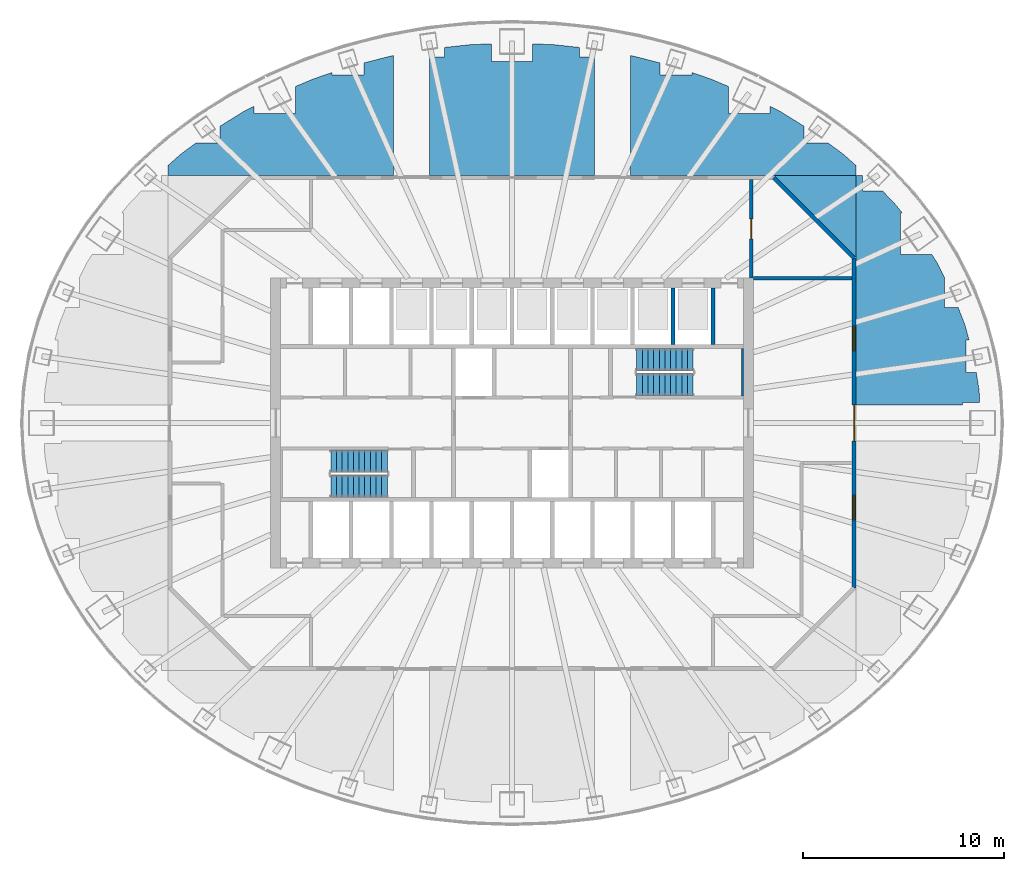
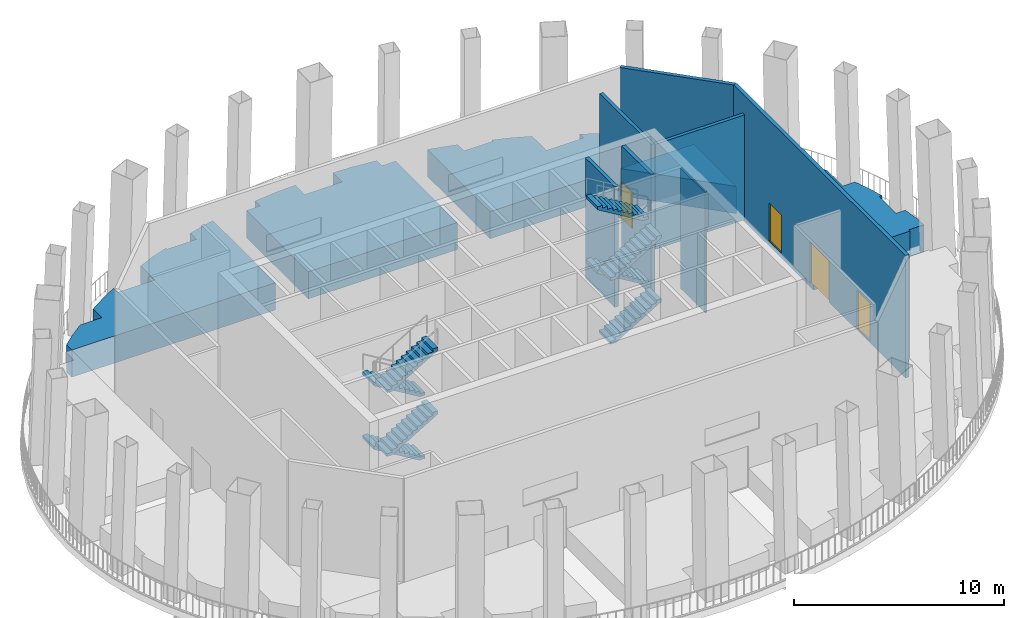
# One storey, part 7 of 15: 12 walls, 8 stair flights, 2 doors, 2 windows, 4 openings, 2 elements without a shape of their own.
"""IFC4 building model written with IfcOpenShell, lengths in metres."""

from ifc_helpers import new_model, si_unit, direction, frame, frame_2d, origin, place, context, subcontext, project, spatial, polyline, rectangle, outline, extrude, material, layer, layer_set, type_object, element, fill, aggregate, save


model = new_model("IFC4")

# Units and contexts
model_context = context("Model", 3, precision=1e-05, world=origin(), true_north=direction((0.0, 1.0)))
body_context = subcontext(model_context, "Body", "Model", "MODEL_VIEW")
ifc_project = project(units=[si_unit("LENGTHUNIT", "METRE"), si_unit("AREAUNIT", "SQUARE_METRE"), si_unit("VOLUMEUNIT", "CUBIC_METRE"), si_unit("PLANEANGLEUNIT", "RADIAN"), si_unit("MASSUNIT", "GRAM", prefix="KILO")], contexts=[model_context])

# Site, building, storey
site_placement = place(None, origin())
site = spatial("IfcSite", under=ifc_project, at=site_placement, CompositionType="ELEMENT")
building_placement = place(site_placement, origin())
building = spatial("IfcBuilding", under=site, at=building_placement, Name="Siaravel Broadcast Tower", CompositionType="ELEMENT")
storey_placement = place(building_placement, frame((0.0, 0.0, 145.199951171875)))
storey = spatial("IfcBuildingStorey", under=building, at=storey_placement, Name="L35", CompositionType="ELEMENT", Elevation=145.199951171875)

# Walls
ifc_material_1 = material(Name="Concrete C40/50", Category="concrete")
ifc_layer_1 = layer(ifc_material_1, 1.0)
ifc_layer_set_1 = layer_set([ifc_layer_1], Name="Concrete C40/50")
wall_type_1 = type_object("IfcWallType", Name="Garden planter box", PredefinedType="ELEMENTEDWALL", material=ifc_layer_set_1)
wall_1_placement = place(storey_placement, frame((0.0, 0.0, -0.39990234375)))
element("IfcWall", 1, at=wall_1_placement, inside=storey, type_object=wall_type_1, Name="L35 garden planting bed 09", PredefinedType="ELEMENTEDWALL", context=body_context, shape_type="SweptSolid", body=[
    extrude(outline(polyline([(17.422119140625, 12.300048828125), (17.10009765625, 12.300048828125), (17.10009765625, 8.241455078125), (17.10009765625, 0.89990234375), (22.391845703125, 0.89990234375), (22.391845703125, 1.02490234375), (23.24755859375, 1.02490234375), (23.214111328125, 1.6455078125), (23.072265625, 2.518798828125), (22.562255859375, 2.518798828125), (22.562255859375, 4.118896484375), (22.71875, 4.118896484375), (22.5087890625, 4.886474609375), (22.17529296875, 5.74365234375), (21.507080078125, 5.74365234375), (21.507080078125, 7.220703125), (21.119384765625, 7.97900390625), (20.8603515625, 8.38232421875), (19.30810546875, 8.38232421875), (19.30810546875, 10.432373046875), (19.400390625, 10.432373046875), (19.08837890625, 10.828857421875), (18.418701171875, 11.535888671875), (17.422119140625, 11.535888671875), (17.422119140625, 12.300048828125)])), origin(), (0.0, 0.0, 1.0), 1.579833984375),
])
wall_2_placement = place(storey_placement, frame((0.0, 0.0, -0.39990234375)))
element("IfcWall", 2, at=wall_2_placement, inside=storey, type_object=wall_type_1, Name="L35 garden planting bed 11", PredefinedType="ELEMENTEDWALL", context=body_context, shape_type="SweptSolid", body=[
    extrude(outline(polyline([(17.10009765625, 8.241455078125), (17.10009765625, 12.300048828125), (13.04150390625, 12.300048828125), (17.10009765625, 8.241455078125)])), origin(), (0.0, 0.0, 1.0), 1.579833984375),
])
wall_3_placement = place(storey_placement, frame((0.0, 0.0, -0.39990234375)))
element("IfcWall", 3, at=wall_3_placement, inside=storey, type_object=wall_type_1, Name="L35 garden planting bed 12", PredefinedType="ELEMENTEDWALL", context=body_context, shape_type="SweptSolid", body=[
    extrude(outline(polyline([(-17.10009765625, 12.799560546875), (-17.10009765625, 12.300048828125), (-13.04150390625, 12.300048828125), (-5.89990234375, 12.300048828125), (-5.89990234375, 18.260009765625), (-6.03125, 18.236328125), (-7.356689453125, 17.897705078125), (-7.356689453125, 17.30419921875), (-8.956787109375, 17.30419921875), (-8.956787109375, 17.409912109375), (-9.84814453125, 17.110595703125), (-10.76318359375, 16.724853515625), (-10.76318359375, 15.3720703125), (-12.81298828125, 15.3720703125), (-12.81298828125, 15.75048828125), (-13.365966796875, 15.46533203125), (-14.505859375, 14.756591796875), (-14.505859375, 13.92431640625), (-15.703857421875, 13.92431640625), (-16.4775390625, 13.349853515625), (-17.10009765625, 12.799560546875)])), origin(), (0.0, 0.0, 1.0), 1.579833984375),
])
wall_4_placement = place(storey_placement, frame((0.0, 0.0, -0.39990234375)))
element("IfcWall", 4, at=wall_4_placement, inside=storey, type_object=wall_type_1, Name="L35 garden planting bed 13", PredefinedType="ELEMENTEDWALL", context=body_context, shape_type="SweptSolid", body=[
    extrude(outline(polyline([(7.356689453125, 17.897705078125), (6.03125, 18.236328125), (5.89990234375, 18.260009765625), (5.89990234375, 12.300048828125), (13.04150390625, 12.300048828125), (17.10009765625, 12.300048828125), (17.10009765625, 12.799560546875), (16.4775390625, 13.349853515625), (15.703857421875, 13.92431640625), (14.505859375, 13.92431640625), (14.505859375, 14.756591796875), (13.365966796875, 15.46533203125), (12.81298828125, 15.75048828125), (12.81298828125, 15.3720703125), (10.76318359375, 15.3720703125), (10.76318359375, 16.724853515625), (9.84814453125, 17.110595703125), (8.956787109375, 17.409912109375), (8.956787109375, 17.30419921875), (7.356689453125, 17.30419921875), (7.356689453125, 17.897705078125)])), origin(), (0.0, 0.0, 1.0), 1.579833984375),
])
wall_5_placement = place(storey_placement, frame((0.0, 0.0, -0.39990234375)))
element("IfcWall", 5, at=wall_5_placement, inside=storey, type_object=wall_type_1, Name="L35 garden planting bed 14", PredefinedType="ELEMENTEDWALL", context=body_context, shape_type="SweptSolid", body=[
    extrude(outline(polyline([(-2.031005859375, 18.807861328125), (-3.343017578125, 18.66796875), (-3.343017578125, 18.18505859375), (-4.10009765625, 18.18505859375), (-4.10009765625, 12.300048828125), (4.10009765625, 12.300048828125), (4.10009765625, 18.18505859375), (3.343017578125, 18.18505859375), (3.343017578125, 18.66796875), (2.031005859375, 18.807861328125), (1.02490234375, 18.843505859375), (1.02490234375, 17.95703125), (-1.02490234375, 17.95703125), (-1.02490234375, 18.843505859375), (-2.031005859375, 18.807861328125)])), origin(), (0.0, 0.0, 1.0), 1.579833984375),
])

# Wall, opening, door
ifc_material_2 = material(Name="Concrete blockwork", Category="masonry")
ifc_layer_2 = layer(ifc_material_2, 0.179931640625)
ifc_layer_set_2 = layer_set([ifc_layer_2], Name="Concrete blockwork")
wall_type_2 = type_object("IfcWallType", Name="Service room fire partition 180", PredefinedType="PARTITIONING", material=ifc_layer_set_2)
wall_6_placement = place(storey_placement, frame((11.89990234375, 12.10009765625, 0.0), z_axis=(0.0, 0.0, 1.0), x_axis=(0.0, -1.0, 0.0)))
wall_6 = element("IfcWall", 6, at=wall_6_placement, inside=storey, type_object=wall_type_2, Name="L35 partition 4", PredefinedType="PARTITIONING", context=body_context, shape_type="SweptSolid", body=[
    extrude(rectangle(XDim=4.900146484375, YDim=0.179931640625, at=frame_2d((2.4501953125, 0.0))), origin(), (0.0, 0.0, 1.0), 6.10009765625),
])
opening_1_placement = place(wall_6_placement, frame((1.949951171875, 0.0, 0.0)))
opening_1 = element("IfcOpeningElement", 7, at=opening_1_placement, cuts=wall_6, Name="Opening L35-004", PredefinedType="OPENING", context=body_context, shape_type="SweptSolid", body=[
    extrude(rectangle(XDim=1.0, YDim=2.10009765625, at=frame_2d((0.5, 1.050048828125))), frame((0.0, 0.099853515625, 0.0), z_axis=(0.0, -1.0, 0.0), x_axis=(1.0, 0.0, 0.0)), (0.0, 0.0, 1.0), 0.199951171875),
])
ifc_material_3 = material(Name="Steel", Category="steel")
door_type_1 = type_object("IfcDoorType", Name="Service room door 1000", OperationType="SINGLE_SWING_LEFT", PredefinedType="DOOR", material=ifc_material_3)
door_1_placement = place(opening_1_placement, origin())
door_1 = element("IfcDoor", 8, at=door_1_placement, inside=storey, type_object=door_type_1, Name="L35 door to Sky pantry", OperationType="SINGLE_SWING_RIGHT", OverallHeight=2.10009765625, OverallWidth=1.0, PredefinedType="DOOR", context=body_context, shape_type="SweptSolid", body=[
    extrude(rectangle(XDim=1.0, YDim=2.10009765625, at=frame_2d((0.5, 1.050048828125))), frame((0.0, 0.02490234375, 0.0), z_axis=(0.0, -1.0, 0.0), x_axis=(1.0, 0.0, 0.0)), (0.0, 0.0, 1.0), 0.050048828125),
])
fill(opening_1, door_1)

# Walls
wall_7_placement = place(storey_placement, frame((12.0, 7.199951171875, 0.0), z_axis=(0.0, 0.0, 1.0), x_axis=(1.0, 0.0, 0.0)))
element("IfcWall", 9, at=wall_7_placement, inside=storey, type_object=wall_type_2, Name="L35 partition 5", PredefinedType="PARTITIONING", context=body_context, shape_type="SweptSolid", body=[
    extrude(rectangle(XDim=4.89990234375, YDim=0.179931640625, at=frame_2d((2.449951171875, 0.0))), origin(), (0.0, 0.0, 1.0), 6.10009765625),
])
ifc_material_4 = material(Name="Concrete C60/75", Category="concrete")
ifc_layer_3 = layer(ifc_material_4, 0.10009765625)
ifc_layer_set_3 = layer_set([ifc_layer_3], Name="Concrete C60/75")
wall_type_3 = type_object("IfcWallType", Name="Shaft wall 100", PredefinedType="SHEAR", material=ifc_layer_set_3)
wall_8_placement = place(storey_placement, frame((11.449951171875, 1.35009765625, 0.0), z_axis=(0.0, 0.0, 1.0), x_axis=(0.0, 1.0, 0.0)))
element("IfcWall", 10, at=wall_8_placement, inside=storey, type_object=wall_type_3, Name="L35 core wall ST2E", PredefinedType="SHEAR", context=body_context, shape_type="SweptSolid", body=[
    extrude(rectangle(XDim=2.349853515625, YDim=0.10009765625, at=frame_2d((1.1748046875, 0.0))), origin(), (0.0, 0.0, 1.0), 7.0),
])
ifc_layer_4 = layer(ifc_material_4, 0.199951171875)
ifc_layer_set_4 = layer_set([ifc_layer_4], Name="Concrete C60/75")
wall_type_4 = type_object("IfcWallType", Name="Shaft wall 200", PredefinedType="SHEAR", material=ifc_layer_set_4)
for number, where, z_axis, x_axis, name in (
    (11, (8.0, 3.89990234375, 0.0), (0.0, 0.0, 1.0), (0.0, 1.0, 0.0), "L35 core wall SWN9"),
    (12, (10.0, 3.89990234375, 0.0), (0.0, 0.0, 1.0), (0.0, 1.0, 0.0), "L35 core wall SWN10"),
):
    element("IfcWall", number, at=place(storey_placement, frame(where, z_axis=z_axis, x_axis=x_axis)), inside=storey, type_object=wall_type_4, Name=name, PredefinedType="SHEAR", context=body_context, shape_type="SweptSolid", body=[
        extrude(rectangle(XDim=2.800048828125, YDim=0.199951171875, at=frame_2d((1.39990234375, 0.0))), origin(), (0.0, 0.0, 1.0), 7.0),
    ])
ifc_layer_5 = layer(ifc_material_1, 0.199951171875)
ifc_layer_set_5 = layer_set([ifc_layer_5], Name="Concrete C40/50")
wall_type_5 = type_object("IfcWallType", Name="Sky lobby enclosure wall", PredefinedType="STANDARD", material=ifc_layer_set_5)
wall_9_placement = place(storey_placement, frame((13.0, 12.199951171875, 0.080078125), z_axis=(0.0, 0.0, 1.0), x_axis=(0.707106781, -0.707106781, 0.0)))
element("IfcWall", 13, at=wall_9_placement, inside=storey, type_object=wall_type_5, Name="L35 sky lobby enclosure wall NE", PredefinedType="STANDARD", context=body_context, shape_type="SweptSolid", body=[
    extrude(rectangle(XDim=5.65673828125, YDim=0.199951171875, at=frame_2d((2.828369140625, 0.0))), origin(), (0.0, 0.0, 1.0), 7.119873046875),
])

# Wall, openings, door, windows
wall_10_placement = place(storey_placement, frame((17.0, 8.199951171875, 0.080078125), z_axis=(0.0, 0.0, 1.0), x_axis=(0.0, -1.0, 0.0)))
wall_10 = element("IfcWall", 14, at=wall_10_placement, inside=storey, type_object=wall_type_5, Name="L35 sky lobby enclosure wall E", PredefinedType="STANDARD", context=body_context, shape_type="SweptSolid", body=[
    extrude(rectangle(XDim=16.39990234375, YDim=0.199951171875, at=frame_2d((8.199951171875, 0.0))), origin(), (0.0, 0.0, 1.0), 7.119873046875),
])
opening_2_placement = place(wall_10_placement, frame((7.300048828125, 0.0, 0.0)))
opening_2 = element("IfcOpeningElement", 15, at=opening_2_placement, cuts=wall_10, Name="Opening L35-GDN-E1", PredefinedType="OPENING", context=body_context, shape_type="SweptSolid", body=[
    extrude(rectangle(XDim=1.800048828125, YDim=2.39990234375, at=frame_2d((0.89990234375, 1.199951171875))), frame((0.0, 0.10986328125, 0.0), z_axis=(0.0, -1.0, 0.0), x_axis=(1.0, 0.0, 0.0)), (0.0, 0.0, 1.0), 0.219970703125),
])
opening_3_placement = place(wall_10_placement, frame((3.39990234375, 0.0, 0.10009765625)))
opening_3 = element("IfcOpeningElement", 16, at=opening_3_placement, cuts=wall_10, Name="Opening WX-2", PredefinedType="OPENING", context=body_context, shape_type="SweptSolid", body=[
    extrude(rectangle(XDim=1.199951171875, YDim=2.199951171875, at=frame_2d((0.60009765625, 1.10009765625))), frame((0.0, 0.10986328125, 0.0), z_axis=(0.0, -1.0, 0.0), x_axis=(1.0, 0.0, 0.0)), (0.0, 0.0, 1.0), 0.219970703125),
])
opening_4_placement = place(wall_10_placement, frame((11.800048828125, 0.0, 0.10009765625)))
opening_4 = element("IfcOpeningElement", 17, at=opening_4_placement, cuts=wall_10, Name="Opening WX-2", PredefinedType="OPENING", context=body_context, shape_type="SweptSolid", body=[
    extrude(rectangle(XDim=1.199951171875, YDim=2.199951171875, at=frame_2d((0.60009765625, 1.10009765625))), frame((0.0, 0.10986328125, 0.0), z_axis=(0.0, -1.0, 0.0), x_axis=(1.0, 0.0, 0.0)), (0.0, 0.0, 1.0), 0.219970703125),
])
ifc_material_5 = material(Name="Aluminium 6063-T6", Category="aluminium")
door_type_2 = type_object("IfcDoorType", Name="Garden door", OperationType="DOUBLE_DOOR_SINGLE_SWING", PredefinedType="DOOR", material=ifc_material_5)
door_2_placement = place(opening_2_placement, origin())
door_2 = element("IfcDoor", 18, at=door_2_placement, inside=storey, type_object=door_type_2, Name="L35 garden door E1", OperationType="DOUBLE_DOOR_SINGLE_SWING", OverallHeight=2.39990234375, OverallWidth=1.800048828125, PredefinedType="DOOR", context=body_context, shape_type="SweptSolid", body=[
    extrude(rectangle(XDim=1.800048828125, YDim=2.39990234375, at=frame_2d((0.89990234375, 1.199951171875))), frame((0.0, 0.02490234375, 0.0), z_axis=(0.0, -1.0, 0.0), x_axis=(1.0, 0.0, 0.0)), (0.0, 0.0, 1.0), 0.050048828125),
])
fill(opening_2, door_2)
window_type = type_object("IfcWindowType", Name="Sky lobby tall window 1200x2200", PartitioningType="SINGLE_PANEL", PredefinedType="WINDOW", material=ifc_material_5)
window_1_placement = place(opening_3_placement, origin())
window_1 = element("IfcWindow", 19, at=window_1_placement, inside=storey, type_object=window_type, Name="L35 sky lobby tall window E1", OverallHeight=2.199951171875, OverallWidth=1.199951171875, PartitioningType="SINGLE_PANEL", PredefinedType="WINDOW", context=body_context, shape_type="SweptSolid", body=[
    extrude(rectangle(XDim=1.199951171875, YDim=2.199951171875, at=frame_2d((0.60009765625, 1.10009765625))), frame((0.0, 0.030029296875, 0.0), z_axis=(0.0, -1.0, 0.0), x_axis=(1.0, 0.0, 0.0)), (0.0, 0.0, 1.0), 0.06005859375),
])
fill(opening_3, window_1)
window_2_placement = place(opening_4_placement, origin())
window_2 = element("IfcWindow", 20, at=window_2_placement, inside=storey, type_object=window_type, Name="L35 sky lobby tall window E2", OverallHeight=2.199951171875, OverallWidth=1.199951171875, PartitioningType="SINGLE_PANEL", PredefinedType="WINDOW", context=body_context, shape_type="SweptSolid", body=[
    extrude(rectangle(XDim=1.199951171875, YDim=2.199951171875, at=frame_2d((0.60009765625, 1.10009765625))), frame((0.0, 0.030029296875, 0.0), z_axis=(0.0, -1.0, 0.0), x_axis=(1.0, 0.0, 0.0)), (0.0, 0.0, 1.0), 0.06005859375),
])
fill(opening_4, window_2)

# Stair, stair flights
stair_type = type_object("IfcStairType", Name="Core exit stair", PredefinedType="HALF_TURN_STAIR", material=ifc_material_1)
stair_1_placement = place(storey_placement, origin())
stair_1 = element("IfcStair", 21, at=stair_1_placement, inside=storey, type_object=stair_type, Name="L35 Exit stair ST-1", PredefinedType="HALF_TURN_STAIR")
stair_flight_type = type_object("IfcStairFlightType", Name="Stair flight 1100", PredefinedType="STRAIGHT", material=ifc_material_1)
stair_flight_1_placement = place(storey_placement, frame((-6.199951171875, -1.89990234375, 0.0), z_axis=(0.0, 0.0, 1.0), x_axis=(-1.0, 0.0, 0.0)))
stair_flight_1 = element("IfcStairFlight", 22, at=stair_flight_1_placement, type_object=stair_flight_type, Name="ST-1 flight 1", NumberOfRisers=11, NumberOfTreads=10, PredefinedType="STRAIGHT", RiserHeight=0.1681818, TreadLength=0.28, context=body_context, shape_type="SweptSolid", body=[
    extrude(outline(polyline([(0.0, 0.0), (0.0, 0.168212890625), (0.280029296875, 0.168212890625), (0.280029296875, 0.33642578125), (0.56005859375, 0.33642578125), (0.56005859375, 0.504638671875), (0.840087890625, 0.504638671875), (0.840087890625, 0.672607421875), (1.1201171875, 0.672607421875), (1.1201171875, 0.8408203125), (1.39990234375, 0.8408203125), (1.39990234375, 1.009033203125), (1.679931640625, 1.009033203125), (1.679931640625, 1.17724609375), (1.9599609375, 1.17724609375), (1.9599609375, 1.345458984375), (2.239990234375, 1.345458984375), (2.239990234375, 1.513671875), (2.52001953125, 1.513671875), (2.52001953125, 1.681884765625), (2.800048828125, 1.681884765625), (2.800048828125, 1.85009765625), (2.800048828125, 1.5068359375), (0.291015625, 0.0), (0.0, 0.0)])), frame((0.0, 0.550048828125, 0.0), z_axis=(0.0, -1.0, 0.0), x_axis=(1.0, 0.0, 0.0)), (0.0, 0.0, 1.0), 1.10009765625),
])
stair_flight_2_placement = place(storey_placement, frame((-9.0, -3.14990234375, 1.85009765625), z_axis=(0.0, 0.0, 1.0), x_axis=(1.0, 0.0, 0.0)))
stair_flight_2 = element("IfcStairFlight", 23, at=stair_flight_2_placement, type_object=stair_flight_type, Name="ST-1 flight 2", NumberOfRisers=11, NumberOfTreads=10, PredefinedType="STRAIGHT", RiserHeight=0.1681818, TreadLength=0.28, context=body_context, shape_type="SweptSolid", body=[
    extrude(outline(polyline([(0.0, 0.0), (0.0, 0.168212890625), (0.280029296875, 0.168212890625), (0.280029296875, 0.33642578125), (0.56005859375, 0.33642578125), (0.56005859375, 0.504638671875), (0.840087890625, 0.504638671875), (0.840087890625, 0.672607421875), (1.1201171875, 0.672607421875), (1.1201171875, 0.8408203125), (1.39990234375, 0.8408203125), (1.39990234375, 1.009033203125), (1.679931640625, 1.009033203125), (1.679931640625, 1.17724609375), (1.9599609375, 1.17724609375), (1.9599609375, 1.345458984375), (2.239990234375, 1.345458984375), (2.239990234375, 1.513671875), (2.52001953125, 1.513671875), (2.52001953125, 1.681884765625), (2.800048828125, 1.681884765625), (2.800048828125, 1.85009765625), (2.800048828125, 1.5068359375), (0.291015625, 0.0), (0.0, 0.0)])), frame((0.0, 0.550048828125, 0.0), z_axis=(0.0, -1.0, 0.0), x_axis=(1.0, 0.0, 0.0)), (0.0, 0.0, 1.0), 1.10009765625),
])
stair_flight_3_placement = place(storey_placement, frame((-6.199951171875, -1.89990234375, 3.699951171875), z_axis=(0.0, 0.0, 1.0), x_axis=(-1.0, 0.0, 0.0)))
stair_flight_3 = element("IfcStairFlight", 24, at=stair_flight_3_placement, type_object=stair_flight_type, Name="ST-1 flight 3", NumberOfRisers=11, NumberOfTreads=10, PredefinedType="STRAIGHT", RiserHeight=0.1681818, TreadLength=0.28, context=body_context, shape_type="SweptSolid", body=[
    extrude(outline(polyline([(0.0, 0.0), (0.0, 0.168212890625), (0.280029296875, 0.168212890625), (0.280029296875, 0.33642578125), (0.56005859375, 0.33642578125), (0.56005859375, 0.504638671875), (0.840087890625, 0.504638671875), (0.840087890625, 0.672607421875), (1.1201171875, 0.672607421875), (1.1201171875, 0.8408203125), (1.39990234375, 0.8408203125), (1.39990234375, 1.009033203125), (1.679931640625, 1.009033203125), (1.679931640625, 1.17724609375), (1.9599609375, 1.17724609375), (1.9599609375, 1.345458984375), (2.239990234375, 1.345458984375), (2.239990234375, 1.513671875), (2.52001953125, 1.513671875), (2.52001953125, 1.681884765625), (2.800048828125, 1.681884765625), (2.800048828125, 1.85009765625), (2.800048828125, 1.5068359375), (0.291015625, 0.0), (0.0, 0.0)])), frame((0.0, 0.550048828125, 0.0), z_axis=(0.0, -1.0, 0.0), x_axis=(1.0, 0.0, 0.0)), (0.0, 0.0, 1.0), 1.10009765625),
])
stair_flight_4_placement = place(storey_placement, frame((-9.0, -3.14990234375, 5.550048828125), z_axis=(0.0, 0.0, 1.0), x_axis=(1.0, 0.0, 0.0)))
stair_flight_4 = element("IfcStairFlight", 25, at=stair_flight_4_placement, type_object=stair_flight_type, Name="ST-1 flight 4", NumberOfRisers=11, NumberOfTreads=10, PredefinedType="STRAIGHT", RiserHeight=0.1681818, TreadLength=0.28, context=body_context, shape_type="SweptSolid", body=[
    extrude(outline(polyline([(0.0, 0.0), (0.0, 0.168212890625), (0.280029296875, 0.168212890625), (0.280029296875, 0.33642578125), (0.56005859375, 0.33642578125), (0.56005859375, 0.504638671875), (0.840087890625, 0.504638671875), (0.840087890625, 0.672607421875), (1.1201171875, 0.672607421875), (1.1201171875, 0.8408203125), (1.39990234375, 0.8408203125), (1.39990234375, 1.009033203125), (1.679931640625, 1.009033203125), (1.679931640625, 1.17724609375), (1.9599609375, 1.17724609375), (1.9599609375, 1.345458984375), (2.239990234375, 1.345458984375), (2.239990234375, 1.513671875), (2.52001953125, 1.513671875), (2.52001953125, 1.681884765625), (2.800048828125, 1.681884765625), (2.800048828125, 1.85009765625), (2.800048828125, 1.5068359375), (0.291015625, 0.0), (0.0, 0.0)])), frame((0.0, 0.550048828125, 0.0), z_axis=(0.0, -1.0, 0.0), x_axis=(1.0, 0.0, 0.0)), (0.0, 0.0, 1.0), 1.10009765625),
])
aggregate(stair_1, [stair_flight_1, stair_flight_2, stair_flight_3, stair_flight_4])

stair_2_placement = place(storey_placement, origin())
stair_2 = element("IfcStair", 26, at=stair_2_placement, inside=storey, type_object=stair_type, Name="L35 Exit stair ST-2", PredefinedType="HALF_TURN_STAIR")
stair_flight_5_placement = place(storey_placement, frame((6.199951171875, 1.89990234375, 0.0), z_axis=(0.0, 0.0, 1.0), x_axis=(1.0, 0.0, 0.0)))
stair_flight_5 = element("IfcStairFlight", 27, at=stair_flight_5_placement, type_object=stair_flight_type, Name="ST-2 flight 1", NumberOfRisers=11, NumberOfTreads=10, PredefinedType="STRAIGHT", RiserHeight=0.1681818, TreadLength=0.28, context=body_context, shape_type="SweptSolid", body=[
    extrude(outline(polyline([(0.0, 0.0), (0.0, 0.168212890625), (0.280029296875, 0.168212890625), (0.280029296875, 0.33642578125), (0.56005859375, 0.33642578125), (0.56005859375, 0.504638671875), (0.840087890625, 0.504638671875), (0.840087890625, 0.672607421875), (1.1201171875, 0.672607421875), (1.1201171875, 0.8408203125), (1.39990234375, 0.8408203125), (1.39990234375, 1.009033203125), (1.679931640625, 1.009033203125), (1.679931640625, 1.17724609375), (1.9599609375, 1.17724609375), (1.9599609375, 1.345458984375), (2.239990234375, 1.345458984375), (2.239990234375, 1.513671875), (2.52001953125, 1.513671875), (2.52001953125, 1.681884765625), (2.800048828125, 1.681884765625), (2.800048828125, 1.85009765625), (2.800048828125, 1.5068359375), (0.291015625, 0.0), (0.0, 0.0)])), frame((0.0, 0.550048828125, 0.0), z_axis=(0.0, -1.0, 0.0), x_axis=(1.0, 0.0, 0.0)), (0.0, 0.0, 1.0), 1.10009765625),
])
stair_flight_6_placement = place(storey_placement, frame((9.0, 3.14990234375, 1.85009765625), z_axis=(0.0, 0.0, 1.0), x_axis=(-1.0, 0.0, 0.0)))
stair_flight_6 = element("IfcStairFlight", 28, at=stair_flight_6_placement, type_object=stair_flight_type, Name="ST-2 flight 2", NumberOfRisers=11, NumberOfTreads=10, PredefinedType="STRAIGHT", RiserHeight=0.1681818, TreadLength=0.28, context=body_context, shape_type="SweptSolid", body=[
    extrude(outline(polyline([(0.0, 0.0), (0.0, 0.168212890625), (0.280029296875, 0.168212890625), (0.280029296875, 0.33642578125), (0.56005859375, 0.33642578125), (0.56005859375, 0.504638671875), (0.840087890625, 0.504638671875), (0.840087890625, 0.672607421875), (1.1201171875, 0.672607421875), (1.1201171875, 0.8408203125), (1.39990234375, 0.8408203125), (1.39990234375, 1.009033203125), (1.679931640625, 1.009033203125), (1.679931640625, 1.17724609375), (1.9599609375, 1.17724609375), (1.9599609375, 1.345458984375), (2.239990234375, 1.345458984375), (2.239990234375, 1.513671875), (2.52001953125, 1.513671875), (2.52001953125, 1.681884765625), (2.800048828125, 1.681884765625), (2.800048828125, 1.85009765625), (2.800048828125, 1.5068359375), (0.291015625, 0.0), (0.0, 0.0)])), frame((0.0, 0.550048828125, 0.0), z_axis=(0.0, -1.0, 0.0), x_axis=(1.0, 0.0, 0.0)), (0.0, 0.0, 1.0), 1.10009765625),
])
stair_flight_7_placement = place(storey_placement, frame((6.199951171875, 1.89990234375, 3.699951171875), z_axis=(0.0, 0.0, 1.0), x_axis=(1.0, 0.0, 0.0)))
stair_flight_7 = element("IfcStairFlight", 29, at=stair_flight_7_placement, type_object=stair_flight_type, Name="ST-2 flight 3", NumberOfRisers=11, NumberOfTreads=10, PredefinedType="STRAIGHT", RiserHeight=0.1681818, TreadLength=0.28, context=body_context, shape_type="SweptSolid", body=[
    extrude(outline(polyline([(0.0, 0.0), (0.0, 0.168212890625), (0.280029296875, 0.168212890625), (0.280029296875, 0.33642578125), (0.56005859375, 0.33642578125), (0.56005859375, 0.504638671875), (0.840087890625, 0.504638671875), (0.840087890625, 0.672607421875), (1.1201171875, 0.672607421875), (1.1201171875, 0.8408203125), (1.39990234375, 0.8408203125), (1.39990234375, 1.009033203125), (1.679931640625, 1.009033203125), (1.679931640625, 1.17724609375), (1.9599609375, 1.17724609375), (1.9599609375, 1.345458984375), (2.239990234375, 1.345458984375), (2.239990234375, 1.513671875), (2.52001953125, 1.513671875), (2.52001953125, 1.681884765625), (2.800048828125, 1.681884765625), (2.800048828125, 1.85009765625), (2.800048828125, 1.5068359375), (0.291015625, 0.0), (0.0, 0.0)])), frame((0.0, 0.550048828125, 0.0), z_axis=(0.0, -1.0, 0.0), x_axis=(1.0, 0.0, 0.0)), (0.0, 0.0, 1.0), 1.10009765625),
])
stair_flight_8_placement = place(storey_placement, frame((9.0, 3.14990234375, 5.550048828125), z_axis=(0.0, 0.0, 1.0), x_axis=(-1.0, 0.0, 0.0)))
stair_flight_8 = element("IfcStairFlight", 30, at=stair_flight_8_placement, type_object=stair_flight_type, Name="ST-2 flight 4", NumberOfRisers=11, NumberOfTreads=10, PredefinedType="STRAIGHT", RiserHeight=0.1681818, TreadLength=0.28, context=body_context, shape_type="SweptSolid", body=[
    extrude(outline(polyline([(0.0, 0.0), (0.0, 0.168212890625), (0.280029296875, 0.168212890625), (0.280029296875, 0.33642578125), (0.56005859375, 0.33642578125), (0.56005859375, 0.504638671875), (0.840087890625, 0.504638671875), (0.840087890625, 0.672607421875), (1.1201171875, 0.672607421875), (1.1201171875, 0.8408203125), (1.39990234375, 0.8408203125), (1.39990234375, 1.009033203125), (1.679931640625, 1.009033203125), (1.679931640625, 1.17724609375), (1.9599609375, 1.17724609375), (1.9599609375, 1.345458984375), (2.239990234375, 1.345458984375), (2.239990234375, 1.513671875), (2.52001953125, 1.513671875), (2.52001953125, 1.681884765625), (2.800048828125, 1.681884765625), (2.800048828125, 1.85009765625), (2.800048828125, 1.5068359375), (0.291015625, 0.0), (0.0, 0.0)])), frame((0.0, 0.550048828125, 0.0), z_axis=(0.0, -1.0, 0.0), x_axis=(1.0, 0.0, 0.0)), (0.0, 0.0, 1.0), 1.10009765625),
])
aggregate(stair_2, [stair_flight_5, stair_flight_6, stair_flight_7, stair_flight_8])

save(model, "model.ifc")
